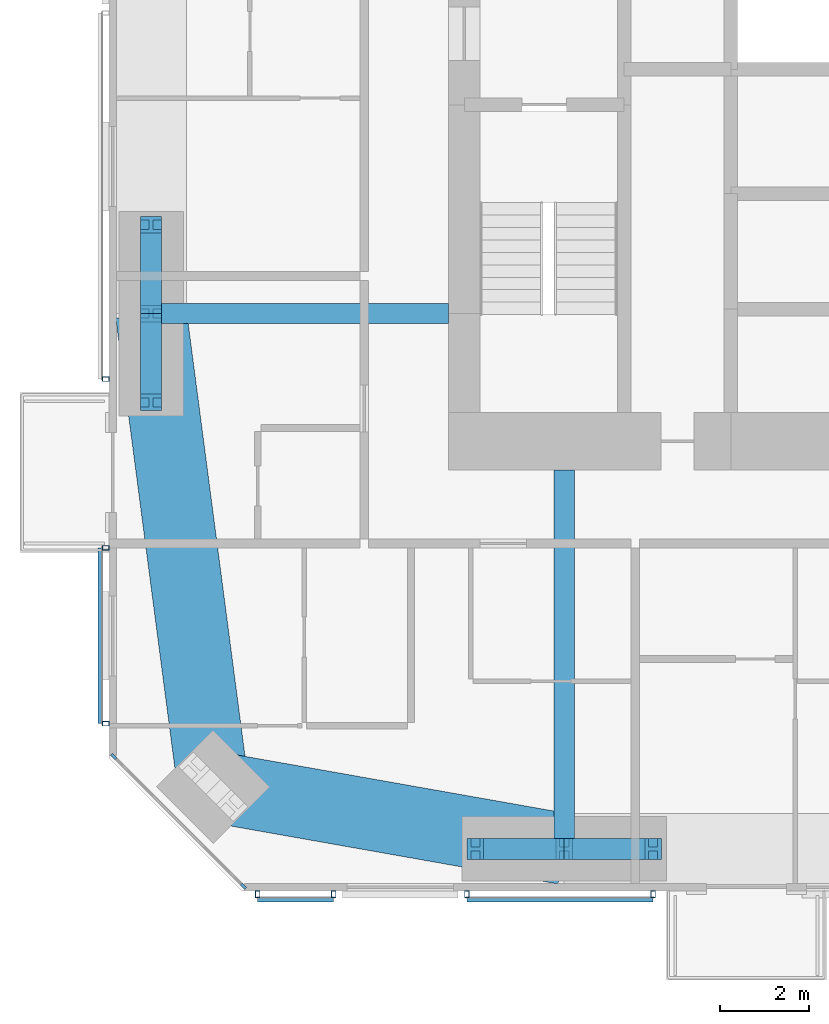
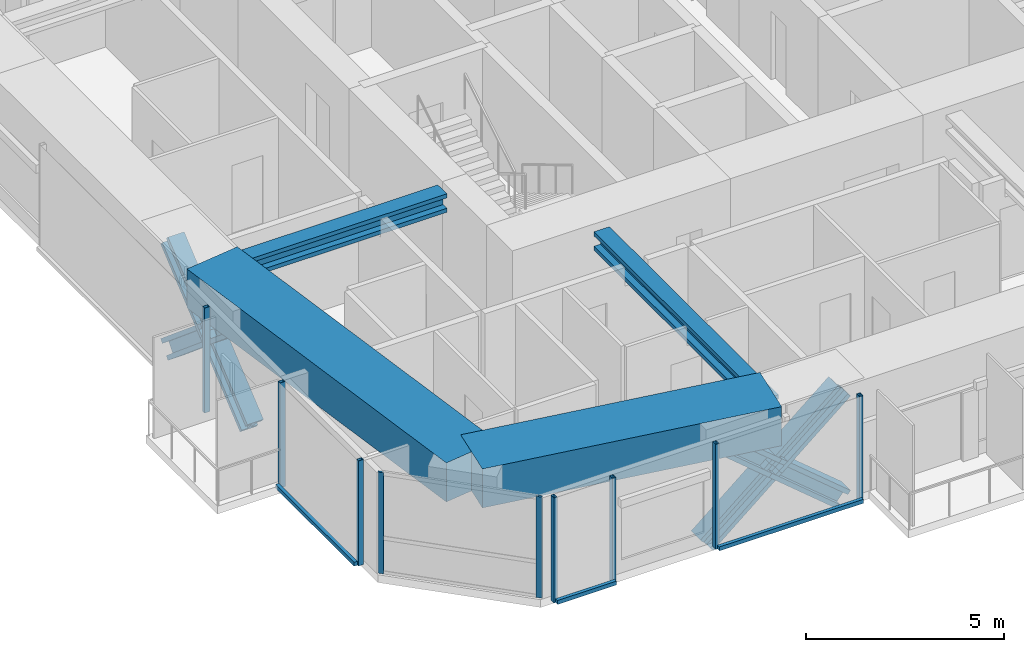
# One storey, part 2 of 22: 20 members, 4 beams, 5 elements without a shape of their own.
"""IFC4 building model written with IfcOpenShell, lengths in metres."""

import ifcopenshell
import ifcopenshell.guid

model = None  # the IFC model being written
_history = None  # IfcOwnerHistory: only IFC2X3 demands one
_inside = {}  # id of a spatial element -> (the spatial element, [elements in it])
_under = {}  # id of a project, library or spatial element -> (it, [spatial elements below it])
_declared = {}  # id of a project -> (the project, [libraries it declares])
_typed = {}  # id of a type object -> (the type object, [elements of that type])
_made_of = {}  # id of a material, layer set ... -> (it, [elements and type objects made of it])


def new_model(schema):
    """Start an empty IFC model of exactly this schema.

    Asked for "IFC4X3", IfcOpenShell would pick the latest addendum, in which some entities
    have other attributes; the version numbers below select the first issue.
    IFC2X3 requires an IfcOwnerHistory on every rooted entity: one is made here for all.
    """
    global model, _history
    if schema == "IFC4X3":
        model = ifcopenshell.file(schema_version=(4, 3, 0, 0))
    else:
        model = ifcopenshell.file(schema=schema)
    _inside.clear()
    _under.clear()
    _declared.clear()
    _typed.clear()
    _made_of.clear()
    _history = None
    if model.schema == "IFC2X3":
        org = make("IfcOrganization", Name="unknown")
        user = make(
            "IfcPersonAndOrganization",
            ThePerson=make("IfcPerson", FamilyName="unknown"),
            TheOrganization=org,
        )
        app = make(
            "IfcApplication",
            ApplicationDeveloper=org,
            Version="unknown",
            ApplicationFullName="unknown",
            ApplicationIdentifier="unknown",
        )
        _history = make(
            "IfcOwnerHistory",
            OwningUser=user,
            OwningApplication=app,
            ChangeAction="ADDED",
            CreationDate=0,
        )
    return model


def make(cls, **values):
    """One entity of the class cls with the attributes given. An attribute that is None is left unset."""
    return model.create_entity(
        cls, **{name: value for name, value in values.items() if value is not None}
    )


def rooted(cls, **values):
    """An entity with a GlobalId (a new one), such as an element, a storey or a relation."""
    return make(cls, GlobalId=ifcopenshell.guid.new(), OwnerHistory=_history, **values)


def si_unit(unit_type, name, prefix=None):
    """IfcSIUnit, for example si_unit("LENGTHUNIT", "METRE", prefix="MILLI")."""
    return make("IfcSIUnit", UnitType=unit_type, Prefix=prefix, Name=name)


def assignment(units):
    """IfcUnitAssignment: the units of a project."""
    return None if units is None else make("IfcUnitAssignment", Units=units)


def point(xyz):
    """IfcCartesianPoint."""
    return None if xyz is None else make("IfcCartesianPoint", Coordinates=xyz)


def direction(xyz):
    """IfcDirection."""
    return None if xyz is None else make("IfcDirection", DirectionRatios=xyz)


def frame(location, z_axis=None, x_axis=None):
    """IfcAxis2Placement3D, a coordinate frame: its origin and axes. An axis left out is left unset."""
    return make(
        "IfcAxis2Placement3D",
        Location=point(location),
        Axis=direction(z_axis),
        RefDirection=direction(x_axis),
    )


def frame_2d(location, x_axis=None):
    """IfcAxis2Placement2D, a coordinate frame in the plane: its origin and x axis."""
    return make(
        "IfcAxis2Placement2D", Location=point(location), RefDirection=direction(x_axis)
    )


def origin():
    """The frame at (0, 0, 0) with its axes left unset."""
    return frame((0.0, 0.0, 0.0))


def origin_2d():
    """The frame at (0, 0) in the plane with its x axis left unset."""
    return frame_2d((0.0, 0.0))


def place(relative_to, where):
    """IfcLocalPlacement: puts the frame where relative to a parent placement (None: the world)."""
    return make(
        "IfcLocalPlacement", PlacementRelTo=relative_to, RelativePlacement=where
    )


def context(
    kind, dimensions, precision=None, world=None, true_north=None, identifier=None
):
    """IfcGeometricRepresentationContext, for example the 3D "Model" context."""
    return make(
        "IfcGeometricRepresentationContext",
        ContextIdentifier=identifier,
        ContextType=kind,
        CoordinateSpaceDimension=dimensions,
        Precision=precision,
        WorldCoordinateSystem=world,
        TrueNorth=true_north,
    )


def subcontext(parent, identifier, kind, view, scale=None):
    """IfcGeometricRepresentationSubContext, for example "Body" below "Model"."""
    return make(
        "IfcGeometricRepresentationSubContext",
        ContextIdentifier=identifier,
        ContextType=kind,
        ParentContext=parent,
        TargetScale=scale,
        TargetView=view,
    )


def project(units=None, contexts=None):
    """IfcProject with its units and contexts."""
    return rooted(
        "IfcProject",
        Name="project",
        RepresentationContexts=contexts,
        UnitsInContext=assignment(units),
    )


def spatial(cls, under=None, at=None, **own):
    """A site, building, storey or space (cls), placed at a placement, below another one or the project."""
    s = rooted(cls, ObjectPlacement=at, **own)
    if under is not None:
        _under.setdefault(under.id(), (under, []))[1].append(s)
    return s


def profile(cls, at=None, kind="AREA", **sizes):
    """A parametric profile (cls). Its sizes go by their IFC names, for example OverallWidth=200.0."""
    return make(cls, ProfileType=kind, Position=at, **sizes)


def rectangle(**sizes):
    """IfcRectangleProfileDef."""
    return profile("IfcRectangleProfileDef", **sizes)


def hollow_rectangle(**sizes):
    """IfcRectangleHollowProfileDef."""
    return profile("IfcRectangleHollowProfileDef", **sizes)


def i_section(**sizes):
    """IfcIShapeProfileDef."""
    return profile("IfcIShapeProfileDef", **sizes)


def extrude(swept, where, along, depth):
    """IfcExtrudedAreaSolid: the profile swept, set in the frame where, extruded along a direction by depth."""
    return make(
        "IfcExtrudedAreaSolid",
        SweptArea=swept,
        Position=where,
        ExtrudedDirection=direction(along),
        Depth=depth,
    )


def shape(context_of_items, identifier, shape_type, items):
    """IfcShapeRepresentation: the items that make up one representation, for example the "Body"."""
    return make(
        "IfcShapeRepresentation",
        ContextOfItems=context_of_items,
        RepresentationIdentifier=identifier,
        RepresentationType=shape_type,
        Items=items,
    )


def material(Name=None, Category=None):
    """IfcMaterial."""
    return make("IfcMaterial", Name=Name, Category=Category)


def material_profile(
    of_material, cross_section, Name=None, Category=None, Priority=None
):
    """IfcMaterialProfile: a cross section and its material."""
    return make(
        "IfcMaterialProfile",
        Name=Name,
        Material=of_material,
        Profile=cross_section,
        Priority=Priority,
        Category=Category,
    )


def profile_set(profiles, Name=None, composite=None):
    """IfcMaterialProfileSet."""
    return make(
        "IfcMaterialProfileSet",
        Name=Name,
        MaterialProfiles=profiles,
        CompositeProfile=composite,
    )


def made_of(thing, what):
    """Note that an element or type object is made of a material, layer set ...; save() writes the relation."""
    if what is not None:
        _made_of.setdefault(what.id(), (what, []))[1].append(thing)
    return thing


def type_object(cls, material=None, **own):
    """A type object (cls), such as IfcWallType, which elements share."""
    return made_of(rooted(cls, **own), material)


def element(
    cls,
    number,
    at=None,
    inside=None,
    cuts=None,
    type_object=None,
    material=None,
    context=None,
    identifier="Body",
    shape_type=None,
    held_by="IfcProductDefinitionShape",
    body=None,
    shapes=None,
    **own,
):
    """One element of the class cls, such as IfcWall. Its Tag is "e" and its number.

    at: its placement. inside: the storey or other place that contains it. cuts: it is an
    opening in that element (IfcRelVoidsElement). A single representation is given by context,
    identifier, shape_type and body (its items); several are given by shapes. held_by: the class
    of the entity that holds the representations. save() writes the other relations.
    """
    e = rooted(cls, Tag="e%d" % number, ObjectPlacement=at, **own)
    if body is not None:
        shapes = [shape(context, identifier, shape_type, body)]
    if shapes is not None:
        e.Representation = make(held_by, Representations=shapes)
    if inside is not None:
        _inside.setdefault(inside.id(), (inside, []))[1].append(e)
    if cuts is not None:
        rooted(
            "IfcRelVoidsElement", RelatingBuildingElement=cuts, RelatedOpeningElement=e
        )
    if type_object is not None:
        _typed.setdefault(type_object.id(), (type_object, []))[1].append(e)
    return made_of(e, material)


def aggregate(whole, parts):
    """IfcRelAggregates: a whole, such as a stair, and the parts it consists of."""
    return rooted("IfcRelAggregates", RelatingObject=whole, RelatedObjects=parts)


def save(model, path):
    """Write the relations noted so far, then the file.

    IfcRelAggregates (storeys below a building ...), IfcRelContainedInSpatialStructure (elements
    in a storey), IfcRelDefinesByType, IfcRelAssociatesMaterial and IfcRelDeclares: one each for
    every whole, place, type object, material and project.
    """
    for whole, parts in _under.values():
        aggregate(whole, parts)
    for where, things in _inside.values():
        rooted(
            "IfcRelContainedInSpatialStructure",
            RelatedElements=things,
            RelatingStructure=where,
        )
    for kind, things in _typed.values():
        rooted("IfcRelDefinesByType", RelatedObjects=things, RelatingType=kind)
    for what, things in _made_of.values():
        rooted("IfcRelAssociatesMaterial", RelatedObjects=things, RelatingMaterial=what)
    for by, libraries in _declared.values():
        rooted("IfcRelDeclares", RelatingContext=by, RelatedDefinitions=libraries)
    model.write(path)


model = new_model("IFC4")

# Units and contexts
model_context = context("Model", 3, precision=1e-05, world=origin(), true_north=direction((0.0, 1.0)))
body_context = subcontext(model_context, "Body", "Model", "MODEL_VIEW")
ifc_project = project(units=[si_unit("LENGTHUNIT", "METRE"), si_unit("AREAUNIT", "SQUARE_METRE"), si_unit("VOLUMEUNIT", "CUBIC_METRE"), si_unit("PLANEANGLEUNIT", "RADIAN"), si_unit("MASSUNIT", "GRAM", prefix="KILO")], contexts=[model_context])

# Site, building, storey
site_placement = place(None, origin())
site = spatial("IfcSite", under=ifc_project, at=site_placement, CompositionType="ELEMENT")
building_placement = place(site_placement, origin())
building = spatial("IfcBuilding", under=site, at=building_placement, Name="Jalousie Tower", CompositionType="ELEMENT")
storey_placement = place(building_placement, frame((0.0, 0.0, 174.449951171875)))
storey = spatial("IfcBuildingStorey", under=building, at=storey_placement, Name="L47", CompositionType="ELEMENT", Elevation=174.449951171875)

# Curtain wall, members
ifc_material_1 = material(Name="Aluminium curtain wall", Category="aluminium")
curtain_wall_type_1 = type_object("IfcCurtainWallType", Name="CORNER WINDOW WALL", PredefinedType="USERDEFINED", material=ifc_material_1)
curtain_wall_1_placement = place(storey_placement, origin())
curtain_wall_1 = element("IfcCurtainWall", 1, at=curtain_wall_1_placement, inside=storey, type_object=curtain_wall_type_1, Name="Corner Window Wall L47 8", ObjectType="CORNER WINDOW WALL", PredefinedType="USERDEFINED")
ifc_material_2 = material(Name="Aluminium mullion", Category="aluminium")
ifc_material_profile_1 = material_profile(ifc_material_2, rectangle(XDim=0.06005859375, YDim=0.14990234375, at=origin_2d()), Name="MULLION 60x150")
ifc_profile_set_1 = profile_set([ifc_material_profile_1], Name="Aluminium mullion")
member_type_1 = type_object("IfcMemberType", Name="CORNER WINDOW WALL MULLION", PredefinedType="MULLION", material=ifc_profile_set_1)
member_1_placement = place(storey_placement, frame((12.108642578125, 3.030029296875, 0.0), z_axis=(0.0, 0.0, 1.0), x_axis=(0.707106781187, 0.707106781187, 0.0)))
member_1 = element("IfcMember", 2, at=member_1_placement, type_object=member_type_1, Name="CW-C mullion 1", PredefinedType="MULLION", context=body_context, shape_type="SweptSolid", body=[
    extrude(rectangle(XDim=0.06005859375, YDim=0.14990234375, at=origin_2d()), origin(), (0.0, 0.0, 1.0), 3.110107421875),
])
member_2_placement = place(storey_placement, frame((15.030029296875, 0.108642578125, 0.0), z_axis=(0.0, 0.0, 1.0), x_axis=(0.707106781187, 0.707106781187, 0.0)))
member_2 = element("IfcMember", 3, at=member_2_placement, type_object=member_type_1, Name="CW-C mullion 2", PredefinedType="MULLION", context=body_context, shape_type="SweptSolid", body=[
    extrude(rectangle(XDim=0.06005859375, YDim=0.14990234375, at=origin_2d()), origin(), (0.0, 0.0, 1.0), 3.110107421875),
])
aggregate(curtain_wall_1, [member_1, member_2])

# Beams
ifc_material_3 = material(Name="Steel ASTM A992 Grade 50", Category="steel")
ifc_material_profile_2 = material_profile(ifc_material_3, i_section(OverallWidth=0.45458984375, OverallDepth=0.569091796875, WebThickness=0.077880859375, FlangeThickness=0.124755859375, at=origin_2d()), Name="W14X730")
ifc_profile_set_2 = profile_set([ifc_material_profile_2], Name="Steel ASTM A992 Grade 50")
beam_type_1 = type_object("IfcBeamType", Name="LEAN COLLECTOR W14X730", PredefinedType="BEAM", material=ifc_profile_set_2)
beam_1_placement = place(storey_placement, frame((12.949951171875, 13.0, 2.825439453125), z_axis=(1.0, 0.0, 0.0), x_axis=(0.0, 1.0, 0.0)))
element("IfcBeam", 4, at=beam_1_placement, inside=storey, type_object=beam_type_1, Name="Lean collector under L48", PredefinedType="BEAM", context=body_context, shape_type="SweptSolid", body=[
    extrude(i_section(OverallWidth=0.45458984375, OverallDepth=0.569091796875, WebThickness=0.077880859375, FlangeThickness=0.124755859375, at=origin_2d()), origin(), (0.0, 0.0, 1.0), 6.699951171875),
])
beam_2_placement = place(storey_placement, frame((22.25, 0.949951171875, 2.825439453125), z_axis=(0.0, 1.0, 0.0), x_axis=(-1.0, 0.0, 0.0)))
element("IfcBeam", 5, at=beam_2_placement, inside=storey, type_object=beam_type_1, Name="Lean collector under L48", PredefinedType="BEAM", context=body_context, shape_type="SweptSolid", body=[
    extrude(i_section(OverallWidth=0.45458984375, OverallDepth=0.569091796875, WebThickness=0.077880859375, FlangeThickness=0.124755859375, at=origin_2d()), origin(), (0.0, 0.0, 1.0), 8.525146484375),
])

# Members
ifc_material_4 = material(Name="Steel ASTM A992 Grade 50", Category="steel")
ifc_material_profile_3 = material_profile(ifc_material_4, i_section(OverallWidth=0.472412109375, OverallDepth=0.5791015625, WebThickness=0.094970703125, FlangeThickness=0.1298828125, at=origin_2d()), Name="W14X808")
ifc_profile_set_3 = profile_set([ifc_material_profile_3], Name="Steel ASTM A992 Grade 50")
member_type_2 = type_object("IfcMemberType", Name="PERIMETER BRACE W14X808", PredefinedType="BRACE", material=ifc_profile_set_3)
member_3_placement = place(storey_placement, frame((20.25, 0.949951171875, -0.599853515625), z_axis=(0.766684820047, 0.0, 0.642023665225), x_axis=(0.0, 1.0, 0.0)))
element("IfcMember", 6, at=member_3_placement, inside=storey, type_object=member_type_2, Name="Perimeter brace 02 L47 part 1", PredefinedType="BRACE", context=body_context, shape_type="SweptSolid", body=[
    extrude(i_section(OverallWidth=0.472412109375, OverallDepth=0.5791015625, WebThickness=0.094970703125, FlangeThickness=0.1298828125, at=origin_2d()), origin(), (0.0, 0.0, 1.0), 2.608642578125),
])
member_4_placement = place(storey_placement, frame((22.25, 0.949951171875, 1.074951171875), z_axis=(0.766638753323, 0.0, 0.642078672674), x_axis=(0.0, 1.0, 0.0)))
element("IfcMember", 7, at=member_4_placement, inside=storey, type_object=member_type_2, Name="Perimeter brace 02 L47 part 2", PredefinedType="BRACE", context=body_context, shape_type="SweptSolid", body=[
    extrude(i_section(OverallWidth=0.472412109375, OverallDepth=0.5791015625, WebThickness=0.094970703125, FlangeThickness=0.1298828125, at=origin_2d()), origin(), (0.0, 0.0, 1.0), 2.60888671875),
])
member_5_placement = place(storey_placement, frame((24.25, 0.949951171875, -0.599853515625), z_axis=(-0.766684820047, 0.0, 0.642023665225), x_axis=(0.0, -1.0, 0.0)))
element("IfcMember", 8, at=member_5_placement, inside=storey, type_object=member_type_2, Name="Perimeter brace 02 L47 part 3", PredefinedType="BRACE", context=body_context, shape_type="SweptSolid", body=[
    extrude(i_section(OverallWidth=0.472412109375, OverallDepth=0.5791015625, WebThickness=0.094970703125, FlangeThickness=0.1298828125, at=origin_2d()), origin(), (0.0, 0.0, 1.0), 2.608642578125),
])
member_6_placement = place(storey_placement, frame((22.25, 0.949951171875, 1.074951171875), z_axis=(-0.766638753323, 0.0, 0.642078672674), x_axis=(0.0, -1.0, 0.0)))
element("IfcMember", 9, at=member_6_placement, inside=storey, type_object=member_type_2, Name="Perimeter brace 02 L47 part 4", PredefinedType="BRACE", context=body_context, shape_type="SweptSolid", body=[
    extrude(i_section(OverallWidth=0.472412109375, OverallDepth=0.5791015625, WebThickness=0.094970703125, FlangeThickness=0.1298828125, at=origin_2d()), origin(), (0.0, 0.0, 1.0), 2.60888671875),
])
member_7_placement = place(storey_placement, frame((12.949951171875, 11.0, -0.599853515625), z_axis=(0.0, 0.766684820047, 0.642023665225), x_axis=(-1.0, 0.0, 0.0)))
element("IfcMember", 10, at=member_7_placement, inside=storey, type_object=member_type_2, Name="Perimeter brace 14 L47 part 1", PredefinedType="BRACE", context=body_context, shape_type="SweptSolid", body=[
    extrude(i_section(OverallWidth=0.472412109375, OverallDepth=0.5791015625, WebThickness=0.094970703125, FlangeThickness=0.1298828125, at=origin_2d()), origin(), (0.0, 0.0, 1.0), 2.608642578125),
])
member_8_placement = place(storey_placement, frame((12.949951171875, 13.0, 1.074951171875), z_axis=(0.0, 0.766638753323, 0.642078672674), x_axis=(-1.0, 0.0, 0.0)))
element("IfcMember", 11, at=member_8_placement, inside=storey, type_object=member_type_2, Name="Perimeter brace 14 L47 part 2", PredefinedType="BRACE", context=body_context, shape_type="SweptSolid", body=[
    extrude(i_section(OverallWidth=0.472412109375, OverallDepth=0.5791015625, WebThickness=0.094970703125, FlangeThickness=0.1298828125, at=origin_2d()), origin(), (0.0, 0.0, 1.0), 2.60888671875),
])
member_9_placement = place(storey_placement, frame((12.949951171875, 15.0, -0.599853515625), z_axis=(0.0, -0.766684820047, 0.642023665225), x_axis=(1.0, 0.0, 0.0)))
element("IfcMember", 12, at=member_9_placement, inside=storey, type_object=member_type_2, Name="Perimeter brace 14 L47 part 3", PredefinedType="BRACE", context=body_context, shape_type="SweptSolid", body=[
    extrude(i_section(OverallWidth=0.472412109375, OverallDepth=0.5791015625, WebThickness=0.094970703125, FlangeThickness=0.1298828125, at=origin_2d()), origin(), (0.0, 0.0, 1.0), 2.608642578125),
])
member_10_placement = place(storey_placement, frame((12.949951171875, 13.0, 1.074951171875), z_axis=(0.0, -0.766638753323, 0.642078672674), x_axis=(1.0, 0.0, 0.0)))
element("IfcMember", 13, at=member_10_placement, inside=storey, type_object=member_type_2, Name="Perimeter brace 14 L47 part 4", PredefinedType="BRACE", context=body_context, shape_type="SweptSolid", body=[
    extrude(i_section(OverallWidth=0.472412109375, OverallDepth=0.5791015625, WebThickness=0.094970703125, FlangeThickness=0.1298828125, at=origin_2d()), origin(), (0.0, 0.0, 1.0), 2.60888671875),
])

# Beams
ifc_material_5 = material(Name="Concrete f'c 40 MPa", Category="concrete")
ifc_material_profile_4 = material_profile(ifc_material_5, rectangle(XDim=1.60009765625, YDim=1.199951171875, at=origin_2d()), Name="RC 1600x1200")
ifc_profile_set_4 = profile_set([ifc_material_profile_4], Name="Concrete f'c 40 MPa")
beam_type_2 = type_object("IfcBeamType", Name="RC BEAM 1600x1200", PredefinedType="BEAM", material=ifc_profile_set_4)
beam_3_placement = place(storey_placement, frame((14.348388671875, 2.348388671875, 2.75), z_axis=(0.984697370688, -0.174273027632, 0.0), x_axis=(0.174273027632, 0.984697370688, 0.0)))
element("IfcBeam", 14, at=beam_3_placement, inside=storey, type_object=beam_type_2, Name="Edge band beam 01-02 under L48", PredefinedType="BEAM", context=body_context, shape_type="SweptSolid", body=[
    extrude(rectangle(XDim=1.60009765625, YDim=1.199951171875, at=origin_2d()), origin(), (0.0, 0.0, 1.0), 8.0244140625),
])
beam_4_placement = place(storey_placement, frame((12.949951171875, 13.0, 2.75), z_axis=(0.130171745558, -0.991491460709, 0.0), x_axis=(0.991491460709, 0.130171745558, 0.0)))
element("IfcBeam", 15, at=beam_4_placement, inside=storey, type_object=beam_type_2, Name="Edge band beam 14-01 under L48", PredefinedType="BEAM", context=body_context, shape_type="SweptSolid", body=[
    extrude(rectangle(XDim=1.60009765625, YDim=1.199951171875, at=origin_2d()), origin(), (0.0, 0.0, 1.0), 10.742919921875),
])

# Curtain wall, members
ifc_material_6 = material(Name="Perforated aluminium sheet", Category="aluminium")
curtain_wall_type_2 = type_object("IfcCurtainWallType", Name="SOLAR SCREEN SS-1", PredefinedType="USERDEFINED", material=ifc_material_6)
curtain_wall_2_placement = place(storey_placement, origin())
curtain_wall_2 = element("IfcCurtainWall", 16, at=curtain_wall_2_placement, inside=storey, type_object=curtain_wall_type_2, Name="Solar screen L47", ObjectType="SOLAR SCREEN SS-1", PredefinedType="USERDEFINED")
ifc_material_7 = material(Name="Steel ASTM A500 Grade C", Category="steel")
ifc_material_profile_5 = material_profile(ifc_material_7, hollow_rectangle(XDim=0.1015625, YDim=0.15234375, WallThickness=0.00634765625, at=origin_2d()), Name="HSS6X4X1/4")
ifc_profile_set_5 = profile_set([ifc_material_profile_5], Name="Steel ASTM A500 Grade C")
member_type_3 = type_object("IfcMemberType", Name="SOLAR SCREEN SS-1 MULLION", PredefinedType="MULLION", material=ifc_profile_set_5)
member_11_placement = place(storey_placement, frame((15.351318359375, -0.0712890625, -0.119873046875), z_axis=(0.0, 0.0, 1.0), x_axis=(1.0, 0.0, 0.0)))
member_11 = element("IfcMember", 17, at=member_11_placement, type_object=member_type_3, Name="SS1 post 1", PredefinedType="MULLION", context=body_context, shape_type="SweptSolid", body=[
    extrude(hollow_rectangle(XDim=0.1015625, YDim=0.15234375, WallThickness=0.00634765625, at=origin_2d()), origin(), (0.0, 0.0, 1.0), 3.22998046875),
])
member_12_placement = place(storey_placement, frame((17.060791015625, -0.0712890625, -0.119873046875), z_axis=(0.0, 0.0, 1.0), x_axis=(1.0, 0.0, 0.0)))
member_12 = element("IfcMember", 18, at=member_12_placement, type_object=member_type_3, Name="SS1 post 2", PredefinedType="MULLION", context=body_context, shape_type="SweptSolid", body=[
    extrude(hollow_rectangle(XDim=0.1015625, YDim=0.15234375, WallThickness=0.00634765625, at=origin_2d()), origin(), (0.0, 0.0, 1.0), 3.22998046875),
])

curtain_wall_3_placement = place(storey_placement, origin())
curtain_wall_3 = element("IfcCurtainWall", 19, at=curtain_wall_3_placement, inside=storey, type_object=curtain_wall_type_2, Name="Solar screen L47", ObjectType="SOLAR SCREEN SS-1", PredefinedType="USERDEFINED")
member_13_placement = place(storey_placement, frame((20.060791015625, -0.0712890625, -0.119873046875), z_axis=(0.0, 0.0, 1.0), x_axis=(1.0, 0.0, 0.0)))
member_13 = element("IfcMember", 20, at=member_13_placement, type_object=member_type_3, Name="SS1 post 1", PredefinedType="MULLION", context=body_context, shape_type="SweptSolid", body=[
    extrude(hollow_rectangle(XDim=0.1015625, YDim=0.15234375, WallThickness=0.00634765625, at=origin_2d()), origin(), (0.0, 0.0, 1.0), 3.22998046875),
])
member_14_placement = place(storey_placement, frame((24.25, -0.0712890625, -0.119873046875), z_axis=(0.0, 0.0, 1.0), x_axis=(1.0, 0.0, 0.0)))
member_14 = element("IfcMember", 21, at=member_14_placement, type_object=member_type_3, Name="SS1 post 2", PredefinedType="MULLION", context=body_context, shape_type="SweptSolid", body=[
    extrude(hollow_rectangle(XDim=0.1015625, YDim=0.15234375, WallThickness=0.00634765625, at=origin_2d()), origin(), (0.0, 0.0, 1.0), 3.22998046875),
])

# Curtain wall, member
curtain_wall_4_placement = place(storey_placement, origin())
curtain_wall_4 = element("IfcCurtainWall", 22, at=curtain_wall_4_placement, inside=storey, type_object=curtain_wall_type_2, Name="Solar screen L47", ObjectType="SOLAR SCREEN SS-1", PredefinedType="USERDEFINED")
member_15_placement = place(storey_placement, frame((11.9287109375, 11.52490234375, -0.119873046875), z_axis=(0.0, 0.0, 1.0), x_axis=(0.0, -1.0, 0.0)))
member_15 = element("IfcMember", 23, at=member_15_placement, type_object=member_type_3, Name="SS1 post 2", PredefinedType="MULLION", context=body_context, shape_type="SweptSolid", body=[
    extrude(hollow_rectangle(XDim=0.1015625, YDim=0.15234375, WallThickness=0.00634765625, at=origin_2d()), origin(), (0.0, 0.0, 1.0), 3.22998046875),
])
aggregate(curtain_wall_4, [member_15])

# Curtain wall, members
curtain_wall_5_placement = place(storey_placement, origin())
curtain_wall_5 = element("IfcCurtainWall", 24, at=curtain_wall_5_placement, inside=storey, type_object=curtain_wall_type_2, Name="Solar screen L47", ObjectType="SOLAR SCREEN SS-1", PredefinedType="USERDEFINED")
member_16_placement = place(storey_placement, frame((11.9287109375, 7.72509765625, -0.119873046875), z_axis=(0.0, 0.0, 1.0), x_axis=(0.0, -1.0, 0.0)))
member_16 = element("IfcMember", 25, at=member_16_placement, type_object=member_type_3, Name="SS1 post 1", PredefinedType="MULLION", context=body_context, shape_type="SweptSolid", body=[
    extrude(hollow_rectangle(XDim=0.1015625, YDim=0.15234375, WallThickness=0.00634765625, at=origin_2d()), origin(), (0.0, 0.0, 1.0), 3.22998046875),
])
member_17_placement = place(storey_placement, frame((11.9287109375, 3.771240234375, -0.119873046875), z_axis=(0.0, 0.0, 1.0), x_axis=(0.0, -1.0, 0.0)))
member_17 = element("IfcMember", 26, at=member_17_placement, type_object=member_type_3, Name="SS1 post 2", PredefinedType="MULLION", context=body_context, shape_type="SweptSolid", body=[
    extrude(hollow_rectangle(XDim=0.1015625, YDim=0.15234375, WallThickness=0.00634765625, at=origin_2d()), origin(), (0.0, 0.0, 1.0), 3.22998046875),
])

# Member
ifc_material_8 = material(Name="Extruded aluminium screen rail", Category="aluminium")
ifc_material_profile_6 = material_profile(ifc_material_8, rectangle(XDim=0.1015625, YDim=0.1201171875, at=origin_2d()), Name="RAIL 102x120")
ifc_profile_set_6 = profile_set([ifc_material_profile_6], Name="Extruded aluminium screen rail")
member_type_4 = type_object("IfcMemberType", Name="SOLAR SCREEN SS-1 TRANSOM", PredefinedType="USERDEFINED", material=ifc_profile_set_6)
member_18_placement = place(storey_placement, frame((15.351318359375, -0.1982421875, -0.06005859375), z_axis=(1.0, 0.0, 0.0), x_axis=(0.0, 1.0, 0.0)))
member_18 = element("IfcMember", 27, at=member_18_placement, type_object=member_type_4, Name="SS1 rail", ObjectType="TRANSOM", PredefinedType="USERDEFINED", context=body_context, shape_type="SweptSolid", body=[
    extrude(rectangle(XDim=0.1015625, YDim=0.1201171875, at=origin_2d()), origin(), (0.0, 0.0, 1.0), 1.70947265625),
])

aggregate(curtain_wall_2, [member_11, member_12, member_18])

member_19_placement = place(storey_placement, frame((20.060791015625, -0.1982421875, -0.06005859375), z_axis=(1.0, 0.0, 0.0), x_axis=(0.0, 1.0, 0.0)))
member_19 = element("IfcMember", 28, at=member_19_placement, type_object=member_type_4, Name="SS1 rail", ObjectType="TRANSOM", PredefinedType="USERDEFINED", context=body_context, shape_type="SweptSolid", body=[
    extrude(rectangle(XDim=0.1015625, YDim=0.1201171875, at=origin_2d()), origin(), (0.0, 0.0, 1.0), 4.189208984375),
])

aggregate(curtain_wall_3, [member_13, member_14, member_19])

member_20_placement = place(storey_placement, frame((11.8017578125, 7.72509765625, -0.06005859375), z_axis=(0.0, -1.0, 0.0), x_axis=(1.0, 0.0, 0.0)))
member_20 = element("IfcMember", 29, at=member_20_placement, type_object=member_type_4, Name="SS1 rail", ObjectType="TRANSOM", PredefinedType="USERDEFINED", context=body_context, shape_type="SweptSolid", body=[
    extrude(rectangle(XDim=0.1015625, YDim=0.1201171875, at=origin_2d()), origin(), (0.0, 0.0, 1.0), 3.953857421875),
])

aggregate(curtain_wall_5, [member_16, member_17, member_20])

save(model, "model.ifc")
